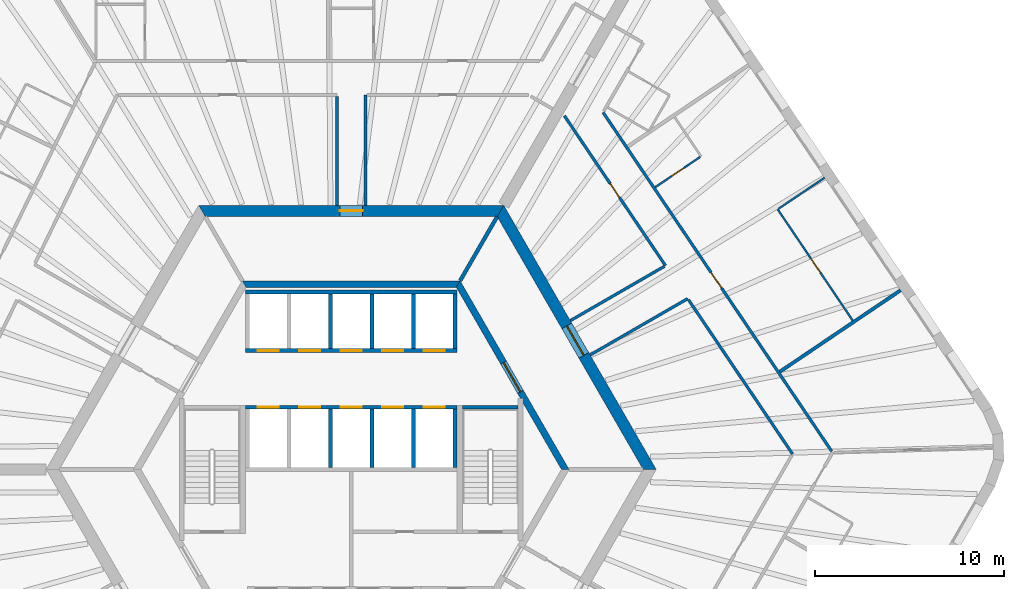
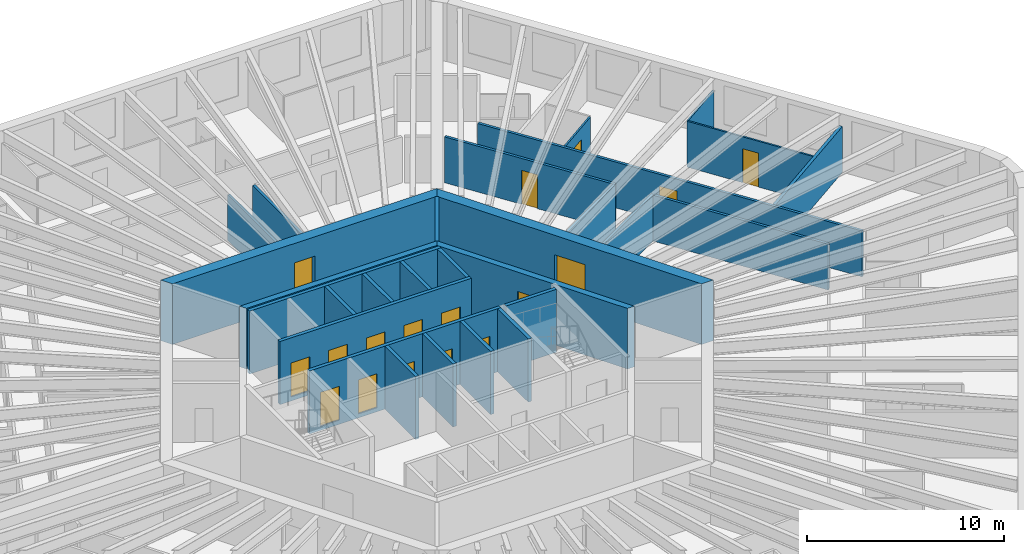
# One storey, part 9 of 12: 28 walls, 17 doors, 17 openings.
"""IFC4 building model written with IfcOpenShell, lengths in metres."""

from ifc_helpers import new_model, si_unit, direction, frame, frame_2d, origin, place, context, subcontext, project, spatial, polyline, rectangle, outline, extrude, material, layer, layer_set, type_object, element, fill, save


model = new_model("IFC4")

# Units and contexts
model_context = context("Model", 3, precision=1e-05, world=origin(), true_north=direction((0.0, 1.0)))
body_context = subcontext(model_context, "Body", "Model", "MODEL_VIEW")
ifc_project = project(units=[si_unit("LENGTHUNIT", "METRE"), si_unit("AREAUNIT", "SQUARE_METRE"), si_unit("VOLUMEUNIT", "CUBIC_METRE"), si_unit("PLANEANGLEUNIT", "RADIAN"), si_unit("MASSUNIT", "GRAM", prefix="KILO")], contexts=[model_context])

# Site, building, storey
site_placement = place(None, origin())
site = spatial("IfcSite", under=ifc_project, at=site_placement, CompositionType="ELEMENT")
building_placement = place(site_placement, origin())
building = spatial("IfcBuilding", under=site, at=building_placement, Name="Tarnside Tower", CompositionType="ELEMENT")
storey_placement = place(building_placement, frame((0.0, 0.0, 142.800048828125)))
storey = spatial("IfcBuildingStorey", under=building, at=storey_placement, Name="L33", CompositionType="ELEMENT", Elevation=142.800048828125)

# Wall, opening, door
ifc_material_1 = material(Name="Gypsum board partition on steel studs", Category="steel")
ifc_layer_1 = layer(ifc_material_1, 0.10009765625)
ifc_layer_set_1 = layer_set([ifc_layer_1], Name="Bathroom wall 100")
wall_type_1 = type_object("IfcWallType", Name="Bathroom wall 100", PredefinedType="PARTITIONING", material=ifc_layer_set_1)
wall_1_placement = place(storey_placement, frame((18.499267578125, 16.565673828125, 0.0), z_axis=(0.0, 0.0, 1.0), x_axis=(-0.82904649496, -0.559179675234, 0.0)))
wall_1 = element("IfcWall", 1, at=wall_1_placement, inside=storey, type_object=wall_type_1, Name="Bathroom wall 10150", PredefinedType="PARTITIONING", context=body_context, shape_type="SweptSolid", body=[
    extrude(rectangle(XDim=2.875, YDim=0.10009765625, at=frame_2d((1.4375, 0.0))), origin(), (0.0, 0.0, 1.0), 2.837646484375),
])
opening_1_placement = place(wall_1_placement, frame((1.050048828125, 0.0, 0.0)))
opening_1 = element("IfcOpeningElement", 2, at=opening_1_placement, cuts=wall_1, Name="Opening D-B1", PredefinedType="OPENING", context=body_context, shape_type="SweptSolid", body=[
    extrude(rectangle(XDim=0.800048828125, YDim=2.10009765625, at=frame_2d((0.39990234375, 1.050048828125))), frame((0.0, 0.06005859375, 0.0), z_axis=(0.0, -1.0, 0.0), x_axis=(1.0, 0.0, 0.0)), (0.0, 0.0, 1.0), 0.1201171875),
])
ifc_material_2 = material(Name="Timber door leaf", Category="wood")
door_type_1 = type_object("IfcDoorType", Name="Bathroom door 800", OperationType="NOTDEFINED", PredefinedType="DOOR", material=ifc_material_2)
door_1_placement = place(opening_1_placement, origin())
door_1 = element("IfcDoor", 3, at=door_1_placement, inside=storey, type_object=door_type_1, Name="Bathroom door 10038", OperationType="SINGLE_SWING_LEFT", OverallHeight=2.10009765625, OverallWidth=0.800048828125, PredefinedType="DOOR", context=body_context, shape_type="SweptSolid", body=[
    extrude(rectangle(XDim=0.800048828125, YDim=2.10009765625, at=frame_2d((0.39990234375, 1.050048828125))), frame((0.0, 0.02490234375, 0.0), z_axis=(0.0, -1.0, 0.0), x_axis=(1.0, 0.0, 0.0)), (0.0, 0.0, 1.0), 0.050048828125),
])
fill(opening_1, door_1)

ifc_material_3 = material(Name="Concrete C50/60", Category="concrete")
ifc_layer_2 = layer(ifc_material_3, 0.35009765625)
ifc_layer_set_2 = layer_set([ifc_layer_2], Name="Core block wall 350 C50/60")
wall_type_2 = type_object("IfcWallType", Name="Core block wall 350 C50/60", PredefinedType="SHEAR", material=ifc_layer_set_2)
wall_2_placement = place(storey_placement, frame((11.344970703125, 0.0, -0.150146484375), z_axis=(0.0, 0.0, 1.0), x_axis=(-0.499995046907, 0.866028263435, 0.0)))
wall_2 = element("IfcWall", 4, at=wall_2_placement, inside=storey, type_object=wall_type_2, Name="L33 core block wall face 6", PredefinedType="SHEAR", context=body_context, shape_type="SweptSolid", body=[
    extrude(outline(polyline([(-0.10107421875, -0.175048828125), (11.44580078125, -0.175048828125), (11.24365234375, 0.175048828125), (0.10107421875, 0.175048828125), (-0.10107421875, -0.175048828125)])), origin(), (0.0, 0.0, 1.0), 3.75),
])
opening_2_placement = place(wall_2_placement, frame((4.74365234375, 0.0, 0.14990234375)))
opening_2 = element("IfcOpeningElement", 5, at=opening_2_placement, cuts=wall_2, Name="Opening CD-LOB", PredefinedType="OPENING", context=body_context, shape_type="SweptSolid", body=[
    extrude(rectangle(XDim=1.800048828125, YDim=2.39990234375, at=frame_2d((0.89990234375, 1.199951171875))), frame((0.0, 0.18505859375, 0.0), z_axis=(0.0, -1.0, 0.0), x_axis=(1.0, 0.0, 0.0)), (0.0, 0.0, 1.0), 0.3701171875),
])
ifc_material_4 = material(Name="Steel fire door", Category="steel")
door_type_2 = type_object("IfcDoorType", Name="Lobby double door FD30S 1800x2400", OperationType="NOTDEFINED", PredefinedType="DOOR", material=ifc_material_4)
door_2_placement = place(opening_2_placement, origin())
door_2 = element("IfcDoor", 6, at=door_2_placement, inside=storey, type_object=door_type_2, Name="L33 lobby block door P2", OperationType="DOUBLE_DOOR_SINGLE_SWING", OverallHeight=2.39990234375, OverallWidth=1.800048828125, PredefinedType="DOOR", context=body_context, shape_type="SweptSolid", body=[
    extrude(rectangle(XDim=1.800048828125, YDim=2.39990234375, at=frame_2d((0.89990234375, 1.199951171875))), frame((0.0, 0.02490234375, 0.0), z_axis=(0.0, -1.0, 0.0), x_axis=(1.0, 0.0, 0.0)), (0.0, 0.0, 1.0), 0.050048828125),
])
fill(opening_2, door_2)

# Wall
wall_3_placement = place(storey_placement, frame((5.672607421875, 9.824951171875, -0.150146484375), z_axis=(0.0, 0.0, 1.0), x_axis=(-1.0, 0.0, 0.0)))
element("IfcWall", 7, at=wall_3_placement, inside=storey, type_object=wall_type_2, Name="L33 core block wall face 1", PredefinedType="SHEAR", context=body_context, shape_type="SweptSolid", body=[
    extrude(outline(polyline([(-0.10107421875, -0.175048828125), (11.4462890625, -0.175048828125), (11.244140625, 0.175048828125), (0.10107421875, 0.175048828125), (-0.10107421875, -0.175048828125)])), origin(), (0.0, 0.0, 1.0), 3.75),
])

# Wall, opening, door
ifc_material_5 = material(Name="Concrete C80/95", Category="concrete")
ifc_layer_3 = layer(ifc_material_5, 0.60009765625)
ifc_layer_set_3 = layer_set([ifc_layer_3], Name="Core wall Z1 600 C80/95")
wall_type_3 = type_object("IfcWallType", Name="Core wall Z1 600 C80/95", PredefinedType="SHEAR", material=ifc_layer_set_3)
wall_4_placement = place(storey_placement, frame((15.8193359375, 0.0, -0.150146484375), z_axis=(0.0, 0.0, 1.0), x_axis=(-0.499999880136, 0.866025472988, 0.0)))
wall_4 = element("IfcWall", 8, at=wall_4_placement, inside=storey, type_object=wall_type_3, Name="L33 core wall face 6", PredefinedType="SHEAR", context=body_context, shape_type="SweptSolid", body=[
    extrude(outline(polyline([(-0.17333984375, -0.300048828125), (15.99267578125, -0.300048828125), (15.64599609375, 0.300048828125), (0.17333984375, 0.300048828125), (-0.17333984375, -0.300048828125)])), origin(), (0.0, 0.0, 1.0), 3.75),
])
opening_3_placement = place(wall_4_placement, frame((6.980712890625, 0.0, 0.14990234375)))
opening_3 = element("IfcOpeningElement", 9, at=opening_3_placement, cuts=wall_4, Name="Opening CD-LOB", PredefinedType="OPENING", context=body_context, shape_type="SweptSolid", body=[
    extrude(rectangle(XDim=1.800048828125, YDim=2.39990234375, at=frame_2d((0.89990234375, 1.199951171875))), frame((0.0, 0.31005859375, 0.0), z_axis=(0.0, -1.0, 0.0), x_axis=(1.0, 0.0, 0.0)), (0.0, 0.0, 1.0), 0.6201171875),
])
door_3_placement = place(opening_3_placement, origin())
door_3 = element("IfcDoor", 10, at=door_3_placement, inside=storey, type_object=door_type_2, Name="L33 core door P2", OperationType="DOUBLE_DOOR_SINGLE_SWING", OverallHeight=2.39990234375, OverallWidth=1.800048828125, PredefinedType="DOOR", context=body_context, shape_type="SweptSolid", body=[
    extrude(rectangle(XDim=1.800048828125, YDim=2.39990234375, at=frame_2d((0.89990234375, 1.199951171875))), frame((0.0, 0.02490234375, 0.0), z_axis=(0.0, -1.0, 0.0), x_axis=(1.0, 0.0, 0.0)), (0.0, 0.0, 1.0), 0.050048828125),
])
fill(opening_3, door_3)

wall_5_placement = place(storey_placement, frame((7.90966796875, 13.699951171875, -0.150146484375), z_axis=(0.0, 0.0, 1.0), x_axis=(-1.0, 0.0, 0.0)))
wall_5 = element("IfcWall", 11, at=wall_5_placement, inside=storey, type_object=wall_type_3, Name="L33 core wall face 1", PredefinedType="SHEAR", context=body_context, shape_type="SweptSolid", body=[
    extrude(outline(polyline([(-0.17333984375, -0.300048828125), (15.99267578125, -0.300048828125), (15.64599609375, 0.300048828125), (0.17333984375, 0.300048828125), (-0.17333984375, -0.300048828125)])), origin(), (0.0, 0.0, 1.0), 3.75),
])
opening_4_placement = place(wall_5_placement, frame((7.309814453125, 0.0, 0.14990234375)))
opening_4 = element("IfcOpeningElement", 12, at=opening_4_placement, cuts=wall_5, Name="Opening CD-RSR", PredefinedType="OPENING", context=body_context, shape_type="SweptSolid", body=[
    extrude(rectangle(XDim=1.199951171875, YDim=2.39990234375, at=frame_2d((0.60009765625, 1.199951171875))), frame((0.0, 0.31005859375, 0.0), z_axis=(0.0, -1.0, 0.0), x_axis=(1.0, 0.0, 0.0)), (0.0, 0.0, 1.0), 0.6201171875),
])
door_type_3 = type_object("IfcDoorType", Name="Riser door FD60 1200x2400", OperationType="NOTDEFINED", PredefinedType="DOOR", material=ifc_material_4)
door_4_placement = place(opening_4_placement, origin())
door_4 = element("IfcDoor", 13, at=door_4_placement, inside=storey, type_object=door_type_3, Name="L33 core door S5", OperationType="SINGLE_SWING_LEFT", OverallHeight=2.39990234375, OverallWidth=1.199951171875, PredefinedType="DOOR", context=body_context, shape_type="SweptSolid", body=[
    extrude(rectangle(XDim=1.199951171875, YDim=2.39990234375, at=frame_2d((0.60009765625, 1.199951171875))), frame((0.0, 0.02490234375, 0.0), z_axis=(0.0, -1.0, 0.0), x_axis=(1.0, 0.0, 0.0)), (0.0, 0.0, 1.0), 0.050048828125),
])
fill(opening_4, door_4)

# Walls
ifc_layer_4 = layer(ifc_material_1, 0.14990234375)
ifc_layer_set_4 = layer_set([ifc_layer_4], Name="Corridor wall 150 EI 60")
wall_type_4 = type_object("IfcWallType", Name="Corridor wall 150 EI 60", PredefinedType="PARTITIONING", material=ifc_layer_set_4)
wall_6_placement = place(storey_placement, frame((-0.75, 19.77490234375, 0.0), z_axis=(0.0, 0.0, 1.0), x_axis=(0.0, -1.0, 0.0)))
element("IfcWall", 14, at=wall_6_placement, inside=storey, type_object=wall_type_4, Name="Corridor wall 10019", PredefinedType="PARTITIONING", context=body_context, shape_type="SweptSolid", body=[
    extrude(rectangle(XDim=5.77490234375, YDim=0.14990234375, at=frame_2d((2.887451171875, 0.0))), origin(), (0.0, 0.0, 1.0), 2.837646484375),
])
wall_7_placement = place(storey_placement, frame((0.75, 14.0, 0.0), z_axis=(0.0, 0.0, 1.0), x_axis=(0.0, 1.0, 0.0)))
element("IfcWall", 15, at=wall_7_placement, inside=storey, type_object=wall_type_4, Name="Corridor wall 10020", PredefinedType="PARTITIONING", context=body_context, shape_type="SweptSolid", body=[
    extrude(rectangle(XDim=5.85009765625, YDim=0.14990234375, at=frame_2d((2.925048828125, 0.0))), origin(), (0.0, 0.0, 1.0), 2.837646484375),
])

# Wall, opening, door
wall_8_placement = place(storey_placement, frame((25.467041015625, 0.960205078125, 0.0), z_axis=(0.0, 0.0, 1.0), x_axis=(-0.559200743185, 0.829032284547, 0.0)))
wall_8 = element("IfcWall", 16, at=wall_8_placement, inside=storey, type_object=wall_type_4, Name="Corridor wall 10059", PredefinedType="PARTITIONING", context=body_context, shape_type="SweptSolid", body=[
    extrude(rectangle(XDim=21.66796875, YDim=0.14990234375, at=frame_2d((10.833984375, 0.0))), origin(), (0.0, 0.0, 1.0), 2.837646484375),
])
opening_5_placement = place(wall_8_placement, frame((10.433837890625, 0.0, 0.0)))
opening_5 = element("IfcOpeningElement", 17, at=opening_5_placement, cuts=wall_8, Name="Opening D-E1", PredefinedType="OPENING", context=body_context, shape_type="SweptSolid", body=[
    extrude(rectangle(XDim=1.0, YDim=2.10009765625, at=frame_2d((0.5, 1.050048828125))), frame((0.0, 0.0849609375, 0.0), z_axis=(0.0, -1.0, 0.0), x_axis=(1.0, 0.0, 0.0)), (0.0, 0.0, 1.0), 0.169921875),
])
door_type_4 = type_object("IfcDoorType", Name="Unit entrance door 1000 FD30S", OperationType="NOTDEFINED", PredefinedType="DOOR", material=ifc_material_2)
door_5_placement = place(opening_5_placement, origin())
door_5 = element("IfcDoor", 18, at=door_5_placement, inside=storey, type_object=door_type_4, Name="Unit door 10037", OperationType="SINGLE_SWING_RIGHT", OverallHeight=2.10009765625, OverallWidth=1.0, PredefinedType="DOOR", context=body_context, shape_type="SweptSolid", body=[
    extrude(rectangle(XDim=1.0, YDim=2.10009765625, at=frame_2d((0.5, 1.050048828125))), frame((0.0, 0.02490234375, 0.0), z_axis=(0.0, -1.0, 0.0), x_axis=(1.0, 0.0, 0.0)), (0.0, 0.0, 1.0), 0.050048828125),
])
fill(opening_5, door_5)

# Walls
wall_9_placement = place(storey_placement, frame((12.663818359375, 6.065673828125, 0.0), z_axis=(0.0, 0.0, 1.0), x_axis=(0.866018848283, 0.500011354289, 0.0)))
element("IfcWall", 19, at=wall_9_placement, inside=storey, type_object=wall_type_4, Name="Corridor wall 10067", PredefinedType="PARTITIONING", context=body_context, shape_type="SweptSolid", body=[
    extrude(rectangle(XDim=5.973876953125, YDim=0.14990234375, at=frame_2d((2.98681640625, 0.0))), origin(), (0.0, 0.0, 1.0), 2.837646484375),
])
wall_10_placement = place(storey_placement, frame((17.87939453125, 8.990234375, 0.0), z_axis=(0.0, 0.0, 1.0), x_axis=(0.559189565351, -0.829039824136, 0.0)))
element("IfcWall", 20, at=wall_10_placement, inside=storey, type_object=wall_type_4, Name="Corridor wall 10068", PredefinedType="PARTITIONING", context=body_context, shape_type="SweptSolid", body=[
    extrude(rectangle(XDim=9.85888671875, YDim=0.14990234375, at=frame_2d((4.929443359375, 0.0))), origin(), (0.0, 0.0, 1.0), 2.837646484375),
])

# Wall, opening, door
wall_11_placement = place(storey_placement, frame((11.297607421875, 18.748046875, 0.0), z_axis=(0.0, 0.0, 1.0), x_axis=(0.559198234291, -0.829033976847, 0.0)))
wall_11 = element("IfcWall", 21, at=wall_11_placement, inside=storey, type_object=wall_type_4, Name="Corridor wall 10074", PredefinedType="PARTITIONING", context=body_context, shape_type="SweptSolid", body=[
    extrude(rectangle(XDim=9.589599609375, YDim=0.14990234375, at=frame_2d((4.794921875, 0.0))), origin(), (0.0, 0.0, 1.0), 2.837646484375),
])
opening_6_placement = place(wall_11_placement, frame((4.3447265625, 0.0, 0.0)))
opening_6 = element("IfcOpeningElement", 22, at=opening_6_placement, cuts=wall_11, Name="Opening D-S1", PredefinedType="OPENING", context=body_context, shape_type="SweptSolid", body=[
    extrude(rectangle(XDim=0.89990234375, YDim=2.10009765625, at=frame_2d((0.449951171875, 1.050048828125))), frame((0.0, 0.0849609375, 0.0), z_axis=(0.0, -1.0, 0.0), x_axis=(1.0, 0.0, 0.0)), (0.0, 0.0, 1.0), 0.169921875),
])
door_type_5 = type_object("IfcDoorType", Name="Service room door 900 FD30S", OperationType="NOTDEFINED", PredefinedType="DOOR", material=ifc_material_2)
door_6_placement = place(opening_6_placement, origin())
door_6 = element("IfcDoor", 23, at=door_6_placement, inside=storey, type_object=door_type_5, Name="Service door 10050", OperationType="SINGLE_SWING_RIGHT", OverallHeight=2.10009765625, OverallWidth=0.89990234375, PredefinedType="DOOR", context=body_context, shape_type="SweptSolid", body=[
    extrude(rectangle(XDim=0.89990234375, YDim=2.10009765625, at=frame_2d((0.449951171875, 1.050048828125))), frame((0.0, 0.02490234375, 0.0), z_axis=(0.0, -1.0, 0.0), x_axis=(1.0, 0.0, 0.0)), (0.0, 0.0, 1.0), 0.050048828125),
])
fill(opening_6, door_6)

# Walls
wall_12_placement = place(storey_placement, frame((16.594970703125, 10.76025390625, 0.0), z_axis=(0.0, 0.0, 1.0), x_axis=(-0.866019477104, -0.500010265171, 0.0)))
element("IfcWall", 24, at=wall_12_placement, inside=storey, type_object=wall_type_4, Name="Corridor wall 10075", PredefinedType="PARTITIONING", context=body_context, shape_type="SweptSolid", body=[
    extrude(rectangle(XDim=5.751953125, YDim=0.14990234375, at=frame_2d((2.8759765625, 0.0))), origin(), (0.0, 0.0, 1.0), 2.837646484375),
])
ifc_layer_5 = layer(ifc_material_1, 0.179931640625)
ifc_layer_set_5 = layer_set([ifc_layer_5], Name="Demising wall 180 EI 60")
wall_type_5 = type_object("IfcWallType", Name="Demising wall 180 EI 60", PredefinedType="PARTITIONING", material=ifc_layer_set_5)
wall_13_placement = place(storey_placement, frame((29.11865234375, 9.4951171875, 0.0), z_axis=(0.0, 0.0, 1.0), x_axis=(-0.82903328576, -0.559199258853, 0.0)))
element("IfcWall", 25, at=wall_13_placement, inside=storey, type_object=wall_type_5, Name="Demising wall 10147", PredefinedType="PARTITIONING", context=body_context, shape_type="SweptSolid", body=[
    extrude(rectangle(XDim=7.72509765625, YDim=0.179931640625, at=frame_2d((3.862548828125, 0.0))), origin(), (0.0, 0.0, 1.0), 2.837646484375),
])

# Wall, openings, doors
ifc_material_6 = material(Name="Concrete C40/50", Category="concrete")
ifc_layer_6 = layer(ifc_material_6, 0.199951171875)
ifc_layer_set_6 = layer_set([ifc_layer_6], Name="Lift shaft wall 200 C40/50")
wall_type_6 = type_object("IfcWallType", Name="Lift shaft wall 200 C40/50", PredefinedType="SHEAR", material=ifc_layer_set_6)
wall_14_placement = place(storey_placement, frame((-5.60009765625, 6.300048828125, -0.25), z_axis=(0.0, 0.0, 1.0), x_axis=(1.0, 0.0, 0.0)))
wall_14 = element("IfcWall", 26, at=wall_14_placement, inside=storey, type_object=wall_type_6, Name="L33 lift shaft front wall R1", PredefinedType="SHEAR", context=body_context, shape_type="SweptSolid", body=[
    extrude(rectangle(XDim=11.2001953125, YDim=0.199951171875, at=frame_2d((5.60009765625, 0.0))), origin(), (0.0, 0.0, 1.0), 3.89990234375),
])
opening_7_placement = place(wall_14_placement, frame((0.64990234375, 0.0, 0.25)))
opening_7 = element("IfcOpeningElement", 27, at=opening_7_placement, cuts=wall_14, Name="Opening LD", PredefinedType="OPENING", context=body_context, shape_type="SweptSolid", body=[
    extrude(rectangle(XDim=1.10009765625, YDim=2.10009765625, at=frame_2d((0.550048828125, 1.050048828125))), frame((0.0, 0.10986328125, 0.0), z_axis=(0.0, -1.0, 0.0), x_axis=(1.0, 0.0, 0.0)), (0.0, 0.0, 1.0), 0.219970703125),
])
opening_8_placement = place(wall_14_placement, frame((2.85009765625, 0.0, 0.25)))
opening_8 = element("IfcOpeningElement", 28, at=opening_8_placement, cuts=wall_14, Name="Opening LD", PredefinedType="OPENING", context=body_context, shape_type="SweptSolid", body=[
    extrude(rectangle(XDim=1.10009765625, YDim=2.10009765625, at=frame_2d((0.550048828125, 1.050048828125))), frame((0.0, 0.10986328125, 0.0), z_axis=(0.0, -1.0, 0.0), x_axis=(1.0, 0.0, 0.0)), (0.0, 0.0, 1.0), 0.219970703125),
])
opening_9_placement = place(wall_14_placement, frame((5.050048828125, 0.0, 0.25)))
opening_9 = element("IfcOpeningElement", 29, at=opening_9_placement, cuts=wall_14, Name="Opening LD", PredefinedType="OPENING", context=body_context, shape_type="SweptSolid", body=[
    extrude(rectangle(XDim=1.10009765625, YDim=2.10009765625, at=frame_2d((0.550048828125, 1.050048828125))), frame((0.0, 0.10986328125, 0.0), z_axis=(0.0, -1.0, 0.0), x_axis=(1.0, 0.0, 0.0)), (0.0, 0.0, 1.0), 0.219970703125),
])
opening_10_placement = place(wall_14_placement, frame((7.25, 0.0, 0.25)))
opening_10 = element("IfcOpeningElement", 30, at=opening_10_placement, cuts=wall_14, Name="Opening LD", PredefinedType="OPENING", context=body_context, shape_type="SweptSolid", body=[
    extrude(rectangle(XDim=1.10009765625, YDim=2.10009765625, at=frame_2d((0.550048828125, 1.050048828125))), frame((0.0, 0.10986328125, 0.0), z_axis=(0.0, -1.0, 0.0), x_axis=(1.0, 0.0, 0.0)), (0.0, 0.0, 1.0), 0.219970703125),
])
opening_11_placement = place(wall_14_placement, frame((9.449951171875, 0.0, 0.25)))
opening_11 = element("IfcOpeningElement", 31, at=opening_11_placement, cuts=wall_14, Name="Opening LD", PredefinedType="OPENING", context=body_context, shape_type="SweptSolid", body=[
    extrude(rectangle(XDim=1.10009765625, YDim=2.10009765625, at=frame_2d((0.550048828125, 1.050048828125))), frame((0.0, 0.10986328125, 0.0), z_axis=(0.0, -1.0, 0.0), x_axis=(1.0, 0.0, 0.0)), (0.0, 0.0, 1.0), 0.219970703125),
])
ifc_material_7 = material(Name="Stainless steel", Category="steel")
door_type_6 = type_object("IfcDoorType", Name="Lift landing door 1100x2100", OperationType="NOTDEFINED", PredefinedType="DOOR", material=ifc_material_7)
door_7_placement = place(opening_7_placement, origin())
door_7 = element("IfcDoor", 32, at=door_7_placement, inside=storey, type_object=door_type_6, Name="Low-rise lift 1 landing door L33", OperationType="SLIDING_TO_LEFT", OverallHeight=2.10009765625, OverallWidth=1.10009765625, PredefinedType="DOOR", context=body_context, shape_type="SweptSolid", body=[
    extrude(rectangle(XDim=1.10009765625, YDim=2.10009765625, at=frame_2d((0.550048828125, 1.050048828125))), frame((0.0, 0.02490234375, 0.0), z_axis=(0.0, -1.0, 0.0), x_axis=(1.0, 0.0, 0.0)), (0.0, 0.0, 1.0), 0.050048828125),
])
fill(opening_7, door_7)
door_8_placement = place(opening_8_placement, origin())
door_8 = element("IfcDoor", 33, at=door_8_placement, inside=storey, type_object=door_type_6, Name="Low-rise lift 2 landing door L33", OperationType="SLIDING_TO_LEFT", OverallHeight=2.10009765625, OverallWidth=1.10009765625, PredefinedType="DOOR", context=body_context, shape_type="SweptSolid", body=[
    extrude(rectangle(XDim=1.10009765625, YDim=2.10009765625, at=frame_2d((0.550048828125, 1.050048828125))), frame((0.0, 0.02490234375, 0.0), z_axis=(0.0, -1.0, 0.0), x_axis=(1.0, 0.0, 0.0)), (0.0, 0.0, 1.0), 0.050048828125),
])
fill(opening_8, door_8)
door_9_placement = place(opening_9_placement, origin())
door_9 = element("IfcDoor", 34, at=door_9_placement, inside=storey, type_object=door_type_6, Name="Low-rise lift 3 landing door L33", OperationType="SLIDING_TO_LEFT", OverallHeight=2.10009765625, OverallWidth=1.10009765625, PredefinedType="DOOR", context=body_context, shape_type="SweptSolid", body=[
    extrude(rectangle(XDim=1.10009765625, YDim=2.10009765625, at=frame_2d((0.550048828125, 1.050048828125))), frame((0.0, 0.02490234375, 0.0), z_axis=(0.0, -1.0, 0.0), x_axis=(1.0, 0.0, 0.0)), (0.0, 0.0, 1.0), 0.050048828125),
])
fill(opening_9, door_9)
door_10_placement = place(opening_10_placement, origin())
door_10 = element("IfcDoor", 35, at=door_10_placement, inside=storey, type_object=door_type_6, Name="Low sky-lobby shuttle 1 landing door L33", OperationType="SLIDING_TO_LEFT", OverallHeight=2.10009765625, OverallWidth=1.10009765625, PredefinedType="DOOR", context=body_context, shape_type="SweptSolid", body=[
    extrude(rectangle(XDim=1.10009765625, YDim=2.10009765625, at=frame_2d((0.550048828125, 1.050048828125))), frame((0.0, 0.02490234375, 0.0), z_axis=(0.0, -1.0, 0.0), x_axis=(1.0, 0.0, 0.0)), (0.0, 0.0, 1.0), 0.050048828125),
])
fill(opening_10, door_10)
door_11_placement = place(opening_11_placement, origin())
door_11 = element("IfcDoor", 36, at=door_11_placement, inside=storey, type_object=door_type_6, Name="Low sky-lobby shuttle 2 landing door L33", OperationType="SLIDING_TO_LEFT", OverallHeight=2.10009765625, OverallWidth=1.10009765625, PredefinedType="DOOR", context=body_context, shape_type="SweptSolid", body=[
    extrude(rectangle(XDim=1.10009765625, YDim=2.10009765625, at=frame_2d((0.550048828125, 1.050048828125))), frame((0.0, 0.02490234375, 0.0), z_axis=(0.0, -1.0, 0.0), x_axis=(1.0, 0.0, 0.0)), (0.0, 0.0, 1.0), 0.050048828125),
])
fill(opening_11, door_11)

# Walls
wall_15_placement = place(storey_placement, frame((-5.60009765625, 9.39990234375, -0.25), z_axis=(0.0, 0.0, 1.0), x_axis=(1.0, 0.0, 0.0)))
element("IfcWall", 37, at=wall_15_placement, inside=storey, type_object=wall_type_6, Name="L33 lift shaft back wall R1", PredefinedType="SHEAR", context=body_context, shape_type="SweptSolid", body=[
    extrude(rectangle(XDim=11.2001953125, YDim=0.199951171875, at=frame_2d((5.60009765625, 0.0))), origin(), (0.0, 0.0, 1.0), 3.89990234375),
])
for number, where, z_axis, x_axis, name in (
    (38, (-1.10009765625, 6.39990234375, -0.25), (0.0, 0.0, 1.0), (0.0, 1.0, 0.0), "L33 lift shaft partition R13"),
    (39, (1.10009765625, 6.39990234375, -0.25), (0.0, 0.0, 1.0), (0.0, 1.0, 0.0), "L33 lift shaft partition R14"),
    (40, (3.300048828125, 6.39990234375, -0.25), (0.0, 0.0, 1.0), (0.0, 1.0, 0.0), "L33 lift shaft partition R15"),
    (41, (5.5, 6.39990234375, -0.25), (0.0, 0.0, 1.0), (0.0, 1.0, 0.0), "L33 lift shaft partition R16"),
):
    element("IfcWall", number, at=place(storey_placement, frame(where, z_axis=z_axis, x_axis=x_axis)), inside=storey, type_object=wall_type_6, Name=name, PredefinedType="SHEAR", context=body_context, shape_type="SweptSolid", body=[
        extrude(rectangle(XDim=2.900146484375, YDim=0.199951171875, at=frame_2d((1.4501953125, 0.0))), origin(), (0.0, 0.0, 1.0), 3.89990234375),
    ])

# Wall, openings, doors
wall_16_placement = place(storey_placement, frame((-5.60009765625, 3.300048828125, -0.25), z_axis=(0.0, 0.0, 1.0), x_axis=(1.0, 0.0, 0.0)))
wall_16 = element("IfcWall", 42, at=wall_16_placement, inside=storey, type_object=wall_type_6, Name="L33 lift shaft front wall R2", PredefinedType="SHEAR", context=body_context, shape_type="SweptSolid", body=[
    extrude(rectangle(XDim=11.2001953125, YDim=0.199951171875, at=frame_2d((5.60009765625, 0.0))), origin(), (0.0, 0.0, 1.0), 3.89990234375),
])
opening_12_placement = place(wall_16_placement, frame((0.64990234375, 0.0, 0.25)))
opening_12 = element("IfcOpeningElement", 43, at=opening_12_placement, cuts=wall_16, Name="Opening LD", PredefinedType="OPENING", context=body_context, shape_type="SweptSolid", body=[
    extrude(rectangle(XDim=1.10009765625, YDim=2.10009765625, at=frame_2d((0.550048828125, 1.050048828125))), frame((0.0, 0.10986328125, 0.0), z_axis=(0.0, -1.0, 0.0), x_axis=(1.0, 0.0, 0.0)), (0.0, 0.0, 1.0), 0.219970703125),
])
opening_13_placement = place(wall_16_placement, frame((2.85009765625, 0.0, 0.25)))
opening_13 = element("IfcOpeningElement", 44, at=opening_13_placement, cuts=wall_16, Name="Opening LD", PredefinedType="OPENING", context=body_context, shape_type="SweptSolid", body=[
    extrude(rectangle(XDim=1.10009765625, YDim=2.10009765625, at=frame_2d((0.550048828125, 1.050048828125))), frame((0.0, 0.10986328125, 0.0), z_axis=(0.0, -1.0, 0.0), x_axis=(1.0, 0.0, 0.0)), (0.0, 0.0, 1.0), 0.219970703125),
])
opening_14_placement = place(wall_16_placement, frame((5.050048828125, 0.0, 0.25)))
opening_14 = element("IfcOpeningElement", 45, at=opening_14_placement, cuts=wall_16, Name="Opening LD", PredefinedType="OPENING", context=body_context, shape_type="SweptSolid", body=[
    extrude(rectangle(XDim=1.10009765625, YDim=2.10009765625, at=frame_2d((0.550048828125, 1.050048828125))), frame((0.0, 0.10986328125, 0.0), z_axis=(0.0, -1.0, 0.0), x_axis=(1.0, 0.0, 0.0)), (0.0, 0.0, 1.0), 0.219970703125),
])
opening_15_placement = place(wall_16_placement, frame((7.25, 0.0, 0.25)))
opening_15 = element("IfcOpeningElement", 46, at=opening_15_placement, cuts=wall_16, Name="Opening LD", PredefinedType="OPENING", context=body_context, shape_type="SweptSolid", body=[
    extrude(rectangle(XDim=1.10009765625, YDim=2.10009765625, at=frame_2d((0.550048828125, 1.050048828125))), frame((0.0, 0.10986328125, 0.0), z_axis=(0.0, -1.0, 0.0), x_axis=(1.0, 0.0, 0.0)), (0.0, 0.0, 1.0), 0.219970703125),
])
opening_16_placement = place(wall_16_placement, frame((9.449951171875, 0.0, 0.25)))
opening_16 = element("IfcOpeningElement", 47, at=opening_16_placement, cuts=wall_16, Name="Opening LD", PredefinedType="OPENING", context=body_context, shape_type="SweptSolid", body=[
    extrude(rectangle(XDim=1.10009765625, YDim=2.10009765625, at=frame_2d((0.550048828125, 1.050048828125))), frame((0.0, 0.10986328125, 0.0), z_axis=(0.0, -1.0, 0.0), x_axis=(1.0, 0.0, 0.0)), (0.0, 0.0, 1.0), 0.219970703125),
])
door_12_placement = place(opening_12_placement, origin())
door_12 = element("IfcDoor", 48, at=door_12_placement, inside=storey, type_object=door_type_6, Name="Low-rise lift 4 landing door L33", OperationType="SLIDING_TO_LEFT", OverallHeight=2.10009765625, OverallWidth=1.10009765625, PredefinedType="DOOR", context=body_context, shape_type="SweptSolid", body=[
    extrude(rectangle(XDim=1.10009765625, YDim=2.10009765625, at=frame_2d((0.550048828125, 1.050048828125))), frame((0.0, 0.02490234375, 0.0), z_axis=(0.0, -1.0, 0.0), x_axis=(1.0, 0.0, 0.0)), (0.0, 0.0, 1.0), 0.050048828125),
])
fill(opening_12, door_12)
door_13_placement = place(opening_13_placement, origin())
door_13 = element("IfcDoor", 49, at=door_13_placement, inside=storey, type_object=door_type_6, Name="Low-rise lift 5 landing door L33", OperationType="SLIDING_TO_LEFT", OverallHeight=2.10009765625, OverallWidth=1.10009765625, PredefinedType="DOOR", context=body_context, shape_type="SweptSolid", body=[
    extrude(rectangle(XDim=1.10009765625, YDim=2.10009765625, at=frame_2d((0.550048828125, 1.050048828125))), frame((0.0, 0.02490234375, 0.0), z_axis=(0.0, -1.0, 0.0), x_axis=(1.0, 0.0, 0.0)), (0.0, 0.0, 1.0), 0.050048828125),
])
fill(opening_13, door_13)
door_14_placement = place(opening_14_placement, origin())
door_14 = element("IfcDoor", 50, at=door_14_placement, inside=storey, type_object=door_type_6, Name="Low-rise lift 6 landing door L33", OperationType="SLIDING_TO_LEFT", OverallHeight=2.10009765625, OverallWidth=1.10009765625, PredefinedType="DOOR", context=body_context, shape_type="SweptSolid", body=[
    extrude(rectangle(XDim=1.10009765625, YDim=2.10009765625, at=frame_2d((0.550048828125, 1.050048828125))), frame((0.0, 0.02490234375, 0.0), z_axis=(0.0, -1.0, 0.0), x_axis=(1.0, 0.0, 0.0)), (0.0, 0.0, 1.0), 0.050048828125),
])
fill(opening_14, door_14)
door_15_placement = place(opening_15_placement, origin())
door_15 = element("IfcDoor", 51, at=door_15_placement, inside=storey, type_object=door_type_6, Name="High sky-lobby shuttle 1 landing door L33", OperationType="SLIDING_TO_LEFT", OverallHeight=2.10009765625, OverallWidth=1.10009765625, PredefinedType="DOOR", context=body_context, shape_type="SweptSolid", body=[
    extrude(rectangle(XDim=1.10009765625, YDim=2.10009765625, at=frame_2d((0.550048828125, 1.050048828125))), frame((0.0, 0.02490234375, 0.0), z_axis=(0.0, -1.0, 0.0), x_axis=(1.0, 0.0, 0.0)), (0.0, 0.0, 1.0), 0.050048828125),
])
fill(opening_15, door_15)
door_16_placement = place(opening_16_placement, origin())
door_16 = element("IfcDoor", 52, at=door_16_placement, inside=storey, type_object=door_type_6, Name="Express sky-lobby shuttle 2 landing door L33", OperationType="SLIDING_TO_LEFT", OverallHeight=2.10009765625, OverallWidth=1.10009765625, PredefinedType="DOOR", context=body_context, shape_type="SweptSolid", body=[
    extrude(rectangle(XDim=1.10009765625, YDim=2.10009765625, at=frame_2d((0.550048828125, 1.050048828125))), frame((0.0, 0.02490234375, 0.0), z_axis=(0.0, -1.0, 0.0), x_axis=(1.0, 0.0, 0.0)), (0.0, 0.0, 1.0), 0.050048828125),
])
fill(opening_16, door_16)

# Walls
for number, where, z_axis, x_axis, name in (
    (53, (-1.10009765625, 0.10009765625, -0.25), (0.0, 0.0, 1.0), (0.0, 1.0, 0.0), "L33 lift shaft partition R23"),
    (54, (1.10009765625, 0.10009765625, -0.25), (0.0, 0.0, 1.0), (0.0, 1.0, 0.0), "L33 lift shaft partition R24"),
    (55, (3.300048828125, 0.10009765625, -0.25), (0.0, 0.0, 1.0), (0.0, 1.0, 0.0), "L33 lift shaft partition R25"),
    (56, (5.5, 0.10009765625, -0.25), (0.0, 0.0, 1.0), (0.0, 1.0, 0.0), "L33 lift shaft partition R26"),
):
    element("IfcWall", number, at=place(storey_placement, frame(where, z_axis=z_axis, x_axis=x_axis)), inside=storey, type_object=wall_type_6, Name=name, PredefinedType="SHEAR", context=body_context, shape_type="SweptSolid", body=[
        extrude(rectangle(XDim=3.099853515625, YDim=0.199951171875, at=frame_2d((1.5498046875, 0.0))), origin(), (0.0, 0.0, 1.0), 3.89990234375),
    ])
wall_17_placement = place(storey_placement, frame((5.7734375, 10.0, -0.150146484375), z_axis=(0.0, 0.0, 1.0), x_axis=(0.500038251005, 0.86600331843, 0.0)))
element("IfcWall", 57, at=wall_17_placement, inside=storey, type_object=wall_type_6, Name="L33 core partition AR60", PredefinedType="SHEAR", context=body_context, shape_type="SweptSolid", body=[
    extrude(rectangle(XDim=3.926025390625, YDim=0.199951171875, at=frame_2d((1.962890625, 0.0))), origin(), (0.0, 0.0, 1.0), 3.75),
])
wall_18_placement = place(storey_placement, frame((5.89990234375, 3.300048828125, -0.25), z_axis=(0.0, 0.0, 1.0), x_axis=(1.0, 0.0, 0.0)))
element("IfcWall", 58, at=wall_18_placement, inside=storey, type_object=wall_type_6, Name="L33 stair 1 enclosure cap wall n", PredefinedType="SHEAR", context=body_context, shape_type="SweptSolid", body=[
    extrude(rectangle(XDim=2.9501953125, YDim=0.199951171875, at=frame_2d((1.47509765625, 0.0))), origin(), (0.0, 0.0, 1.0), 3.89990234375),
])

# Wall, opening, door
ifc_layer_7 = layer(ifc_material_1, 0.10009765625)
ifc_layer_set_7 = layer_set([ifc_layer_7], Name="Partition 100")
wall_type_7 = type_object("IfcWallType", Name="Partition 100", PredefinedType="PARTITIONING", material=ifc_layer_set_7)
wall_19_placement = place(storey_placement, frame((26.5810546875, 7.89208984375, 0.0), z_axis=(0.0, 0.0, 1.0), x_axis=(-0.559185029686, 0.829042883435, 0.0)))
wall_19 = element("IfcWall", 59, at=wall_19_placement, inside=storey, type_object=wall_type_7, Name="Partition wall 10151", PredefinedType="PARTITIONING", context=body_context, shape_type="SweptSolid", body=[
    extrude(rectangle(XDim=7.110107421875, YDim=0.10009765625, at=frame_2d((3.55517578125, 0.0))), origin(), (0.0, 0.0, 1.0), 2.837646484375),
])
opening_17_placement = place(wall_19_placement, frame((3.06005859375, 0.0, 0.0)))
opening_17 = element("IfcOpeningElement", 60, at=opening_17_placement, cuts=wall_19, Name="Opening D-I1", PredefinedType="OPENING", context=body_context, shape_type="SweptSolid", body=[
    extrude(rectangle(XDim=0.89990234375, YDim=2.10009765625, at=frame_2d((0.449951171875, 1.050048828125))), frame((0.0, 0.06005859375, 0.0), z_axis=(0.0, -1.0, 0.0), x_axis=(1.0, 0.0, 0.0)), (0.0, 0.0, 1.0), 0.1201171875),
])
door_type_7 = type_object("IfcDoorType", Name="Internal door 900", OperationType="NOTDEFINED", PredefinedType="DOOR", material=ifc_material_2)
door_17_placement = place(opening_17_placement, origin())
door_17 = element("IfcDoor", 61, at=door_17_placement, inside=storey, type_object=door_type_7, Name="Internal door 10039", OperationType="SINGLE_SWING_RIGHT", OverallHeight=2.10009765625, OverallWidth=0.89990234375, PredefinedType="DOOR", context=body_context, shape_type="SweptSolid", body=[
    extrude(rectangle(XDim=0.89990234375, YDim=2.10009765625, at=frame_2d((0.449951171875, 1.050048828125))), frame((0.0, 0.02490234375, 0.0), z_axis=(0.0, -1.0, 0.0), x_axis=(1.0, 0.0, 0.0)), (0.0, 0.0, 1.0), 0.050048828125),
])
fill(opening_17, door_17)

# Wall
wall_20_placement = place(storey_placement, frame((22.646728515625, 13.814453125, 0.0), z_axis=(0.0, 0.0, 1.0), x_axis=(0.829020376361, 0.559218397032, 0.0)))
element("IfcWall", 62, at=wall_20_placement, inside=storey, type_object=wall_type_7, Name="Partition wall 10152", PredefinedType="PARTITIONING", context=body_context, shape_type="SweptSolid", body=[
    extrude(rectangle(XDim=2.949951171875, YDim=0.10009765625, at=frame_2d((1.47509765625, 0.0))), origin(), (0.0, 0.0, 1.0), 2.837646484375),
])

save(model, "model.ifc")
